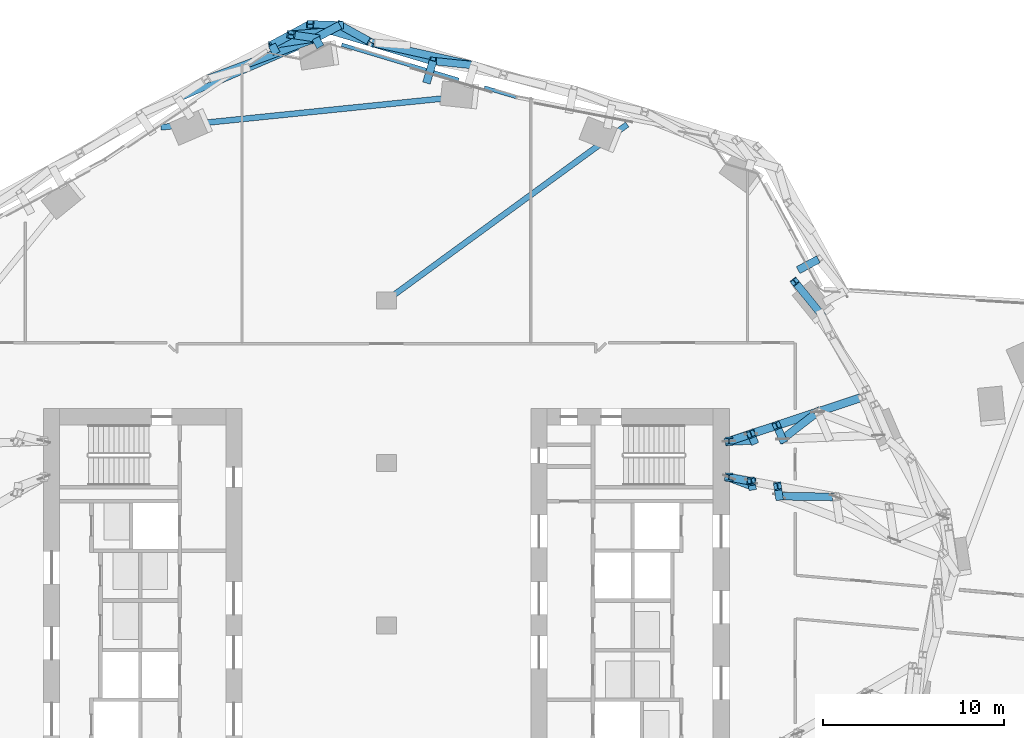
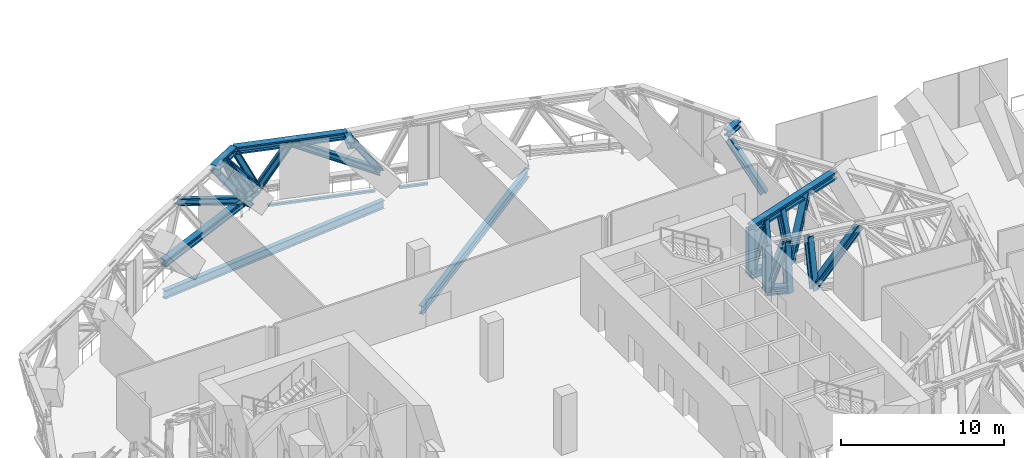
# One storey, part 14 of 39: 33 members, 2 beams, 1 element without a shape of its own.
"""IFC4 building model written with IfcOpenShell, lengths in metres."""

from ifc_helpers import new_model, si_unit, direction, frame, origin, origin_2d, place, context, subcontext, project, spatial, rectangle, i_section, extrude, material, material_profile, profile_set, type_object, element, aggregate, save


model = new_model("IFC4")

# Units and contexts
model_context = context("Model", 3, precision=1e-05, world=origin(), true_north=direction((0.0, 1.0)))
body_context = subcontext(model_context, "Body", "Model", "MODEL_VIEW")
ifc_project = project(units=[si_unit("LENGTHUNIT", "METRE"), si_unit("AREAUNIT", "SQUARE_METRE"), si_unit("VOLUMEUNIT", "CUBIC_METRE"), si_unit("PLANEANGLEUNIT", "RADIAN"), si_unit("MASSUNIT", "GRAM", prefix="KILO")], contexts=[model_context])

# Site, building, storey
site_placement = place(None, origin())
site = spatial("IfcSite", under=ifc_project, at=site_placement, CompositionType="ELEMENT")
building_placement = place(site_placement, origin())
building = spatial("IfcBuilding", under=site, at=building_placement, Name="Orlundy Tower", CompositionType="ELEMENT")
storey_placement = place(building_placement, frame((0.0, 0.0, 141.199951171875)))
storey = spatial("IfcBuildingStorey", under=building, at=storey_placement, Name="L36", CompositionType="ELEMENT", Elevation=141.199951171875)

# Members
ifc_material_1 = material(Name="Steel ASTM A992 Gr 50", Category="steel")
ifc_material_profile_1 = material_profile(ifc_material_1, i_section(OverallWidth=0.4423828125, OverallDepth=0.531494140625, WebThickness=0.06591796875, FlangeThickness=0.105712890625, at=origin_2d()), Name="W14X605")
ifc_profile_set_1 = profile_set([ifc_material_profile_1], Name="Steel ASTM A992 Gr 50")
member_type_1 = type_object("IfcMemberType", Name="BELT TRUSS chord W14X605", PredefinedType="CHORD", material=ifc_profile_set_1)
member_1_placement = place(storey_placement, frame((2.58056640625, 31.260986328125, 3.71533203125), z_axis=(-0.957976613174, 0.286846315318, 0.0), x_axis=(-0.286846315318, -0.957976613174, 0.0)))
element("IfcMember", 1, at=member_1_placement, inside=storey, type_object=member_type_1, Name="Belt truss top chord BT-18A", PredefinedType="CHORD", context=body_context, shape_type="SweptSolid", body=[
    extrude(i_section(OverallWidth=0.4423828125, OverallDepth=0.531494140625, WebThickness=0.06591796875, FlangeThickness=0.105712890625, at=origin_2d()), origin(), (0.0, 0.0, 1.0), 7.100830078125),
])
member_2_placement = place(storey_placement, frame((-2.575927734375, 33.248291015625, 0.28466796875), z_axis=(-0.880342600584, -0.474338387226, 0.0), x_axis=(0.474338387226, -0.880342600584, 0.0)))
element("IfcMember", 2, at=member_2_placement, inside=storey, type_object=member_type_1, Name="Belt truss bottom chord BT-18B", PredefinedType="CHORD", context=body_context, shape_type="SweptSolid", body=[
    extrude(i_section(OverallWidth=0.4423828125, OverallDepth=0.531494140625, WebThickness=0.06591796875, FlangeThickness=0.105712890625, at=origin_2d()), origin(), (0.0, 0.0, 1.0), 1.525634765625),
])
member_3_placement = place(storey_placement, frame((-4.221923828125, 33.2978515625, 3.71533203125), z_axis=(-0.88026935596, -0.474474299576, 0.0), x_axis=(0.474474299576, -0.88026935596, 0.0)))
element("IfcMember", 3, at=member_3_placement, inside=storey, type_object=member_type_1, Name="Belt truss top chord BT-18B", PredefinedType="CHORD", context=body_context, shape_type="SweptSolid", body=[
    extrude(i_section(OverallWidth=0.4423828125, OverallDepth=0.531494140625, WebThickness=0.06591796875, FlangeThickness=0.105712890625, at=origin_2d()), origin(), (0.0, 0.0, 1.0), 2.41015625),
])
member_4_placement = place(storey_placement, frame((-3.9189453125, 32.524658203125, 0.28466796875), z_axis=(-0.917786566907, -0.397074070678, 0.0), x_axis=(0.397074070678, -0.917786566907, 0.0)))
element("IfcMember", 4, at=member_4_placement, inside=storey, type_object=member_type_1, Name="Belt truss bottom chord BT-19A", PredefinedType="CHORD", context=body_context, shape_type="SweptSolid", body=[
    extrude(i_section(OverallWidth=0.4423828125, OverallDepth=0.531494140625, WebThickness=0.06591796875, FlangeThickness=0.105712890625, at=origin_2d()), origin(), (0.0, 0.0, 1.0), 8.324951171875),
])
ifc_material_2 = material(Name="Steel ASTM A992 Gr 50", Category="steel")
ifc_material_profile_2 = material_profile(ifc_material_2, i_section(OverallWidth=0.42431640625, OverallDepth=0.47412109375, WebThickness=0.0478515625, FlangeThickness=0.0771484375, at=origin_2d()), Name="W14X426")
ifc_profile_set_2 = profile_set([ifc_material_profile_2], Name="Steel ASTM A992 Gr 50")
member_type_2 = type_object("IfcMemberType", Name="BELT TRUSS diagonal W14X426", PredefinedType="BRACE", material=ifc_profile_set_2)
member_5_placement = place(storey_placement, frame((4.85546875, 31.023193359375, 0.28466796875), z_axis=(-0.840884640198, 0.186079633282, 0.508219826411), x_axis=(-0.216063302912, -0.976379357184, 0.0)))
element("IfcMember", 5, at=member_5_placement, inside=storey, type_object=member_type_2, Name="Belt truss diagonal BT-18A-0", PredefinedType="BRACE", context=body_context, shape_type="SweptSolid", body=[
    extrude(i_section(OverallWidth=0.42431640625, OverallDepth=0.47412109375, WebThickness=0.0478515625, FlangeThickness=0.0771484375, at=origin_2d()), origin(), (0.0, 0.0, 1.0), 6.750244140625),
])
member_6_placement = place(storey_placement, frame((-0.82080078125, 32.279296875, 3.71533203125), z_axis=(-0.441705621267, 0.243862791877, -0.863381192104), x_axis=(-0.483325202954, -0.87544088789, 0.0)))
element("IfcMember", 6, at=member_6_placement, inside=storey, type_object=member_type_2, Name="Belt truss diagonal BT-18A-1", PredefinedType="BRACE", context=body_context, shape_type="SweptSolid", body=[
    extrude(i_section(OverallWidth=0.42431640625, OverallDepth=0.47412109375, WebThickness=0.0478515625, FlangeThickness=0.0771484375, at=origin_2d()), origin(), (0.0, 0.0, 1.0), 3.9736328125),
])
member_7_placement = place(storey_placement, frame((-2.575927734375, 33.248291015625, 0.28466796875), z_axis=(-0.615038126503, -0.118658478632, 0.779517971824), x_axis=(0.189435334399, -0.981893198918, 0.0)))
element("IfcMember", 7, at=member_7_placement, inside=storey, type_object=member_type_2, Name="Belt truss diagonal BT-18B-0", PredefinedType="BRACE", context=body_context, shape_type="SweptSolid", body=[
    extrude(i_section(OverallWidth=0.42431640625, OverallDepth=0.47412109375, WebThickness=0.0478515625, FlangeThickness=0.0771484375, at=origin_2d()), origin(), (0.0, 0.0, 1.0), 4.401123046875),
])
member_8_placement = place(storey_placement, frame((-5.28271484375, 32.72607421875, 3.71533203125), z_axis=(0.368857354553, -0.054476784373, -0.927888210916), x_axis=(0.146105782749, 0.98926897265, 0.0)))
element("IfcMember", 8, at=member_8_placement, inside=storey, type_object=member_type_2, Name="Belt truss diagonal BT-18B-1", PredefinedType="BRACE", context=body_context, shape_type="SweptSolid", body=[
    extrude(i_section(OverallWidth=0.42431640625, OverallDepth=0.47412109375, WebThickness=0.0478515625, FlangeThickness=0.0771484375, at=origin_2d()), origin(), (0.0, 0.0, 1.0), 3.697265625),
])
member_9_placement = place(storey_placement, frame((-3.9189453125, 32.524658203125, 0.28466796875), z_axis=(-0.827666293136, -0.311608038524, 0.466764327614), x_axis=(0.35234562672, -0.935869947873, 0.0)))
element("IfcMember", 9, at=member_9_placement, inside=storey, type_object=member_type_2, Name="Belt truss diagonal BT-19A-0", PredefinedType="BRACE", context=body_context, shape_type="SweptSolid", body=[
    extrude(i_section(OverallWidth=0.42431640625, OverallDepth=0.47412109375, WebThickness=0.0478515625, FlangeThickness=0.0771484375, at=origin_2d()), origin(), (0.0, 0.0, 1.0), 7.349853515625),
])
ifc_material_3 = material(Name="Steel ASTM A992 Gr 50", Category="steel")
ifc_material_profile_3 = material_profile(ifc_material_3, i_section(OverallWidth=0.412109375, OverallDepth=0.434814453125, WebThickness=0.035888671875, FlangeThickness=0.057373046875, at=origin_2d()), Name="W14X311")
ifc_profile_set_3 = profile_set([ifc_material_profile_3], Name="Steel ASTM A992 Gr 50")
member_type_3 = type_object("IfcMemberType", Name="BELT TRUSS post W14X311", PredefinedType="POST", material=ifc_profile_set_3)
member_10_placement = place(storey_placement, frame((24.058349609375, 17.259033203125, 0.28466796875), z_axis=(-0.349209298449, 0.43109408308, 0.831992041675), x_axis=(-0.777043520905, -0.629446873548, 0.0)))
element("IfcMember", 10, at=member_10_placement, inside=storey, type_object=member_type_3, Name="Belt truss post BT-14-2", PredefinedType="POST", context=body_context, shape_type="SweptSolid", body=[
    extrude(i_section(OverallWidth=0.412109375, OverallDepth=0.434814453125, WebThickness=0.035888671875, FlangeThickness=0.057373046875, at=origin_2d()), origin(), (0.0, 0.0, 1.0), 4.12353515625),
])
member_11_placement = place(storey_placement, frame((4.85546875, 31.023193359375, 0.28466796875), z_axis=(-0.551725680303, 0.057671261281, 0.832029325995), x_axis=(-0.103962450215, -0.9945812229, 0.0)))
element("IfcMember", 11, at=member_11_placement, inside=storey, type_object=member_type_3, Name="Belt truss post BT-17A-2", PredefinedType="POST", context=body_context, shape_type="SweptSolid", body=[
    extrude(i_section(OverallWidth=0.412109375, OverallDepth=0.434814453125, WebThickness=0.035888671875, FlangeThickness=0.057373046875, at=origin_2d()), origin(), (0.0, 0.0, 1.0), 4.123291015625),
])
member_12_placement = place(storey_placement, frame((-2.575927734375, 33.248291015625, 0.28466796875), z_axis=(-0.432540019022, 0.01302367604, 0.901520668541), x_axis=(-0.03009612027, -0.999547009172, 0.0)))
element("IfcMember", 12, at=member_12_placement, inside=storey, type_object=member_type_3, Name="Belt truss post BT-18A-2", PredefinedType="POST", context=body_context, shape_type="SweptSolid", body=[
    extrude(i_section(OverallWidth=0.412109375, OverallDepth=0.434814453125, WebThickness=0.035888671875, FlangeThickness=0.057373046875, at=origin_2d()), origin(), (0.0, 0.0, 1.0), 3.805419921875),
])
member_13_placement = place(storey_placement, frame((-3.247314453125, 32.886474609375, 0.28466796875), z_axis=(-0.509838246362, -0.040177969037, 0.859331538669), x_axis=(0.078561757995, -0.996909248719, 0.0)))
element("IfcMember", 13, at=member_13_placement, inside=storey, type_object=member_type_3, Name="Belt truss post BT-18B-1", PredefinedType="POST", context=body_context, shape_type="SweptSolid", body=[
    extrude(i_section(OverallWidth=0.412109375, OverallDepth=0.434814453125, WebThickness=0.035888671875, FlangeThickness=0.057373046875, at=origin_2d()), origin(), (0.0, 0.0, 1.0), 3.9921875),
])
member_14_placement = place(storey_placement, frame((-3.9189453125, 32.524658203125, 0.28466796875), z_axis=(-0.574916360167, -0.087820775186, 0.81348551939), x_axis=(0.151002432223, -0.988533391172, 0.0)))
element("IfcMember", 14, at=member_14_placement, inside=storey, type_object=member_type_3, Name="Belt truss post BT-18B-2", PredefinedType="POST", context=body_context, shape_type="SweptSolid", body=[
    extrude(i_section(OverallWidth=0.412109375, OverallDepth=0.434814453125, WebThickness=0.035888671875, FlangeThickness=0.057373046875, at=origin_2d()), origin(), (0.0, 0.0, 1.0), 4.21728515625),
])
ifc_material_4 = material(Name="Steel ASTM A992 Gr 50", Category="steel")
ifc_material_profile_4 = material_profile(ifc_material_4, i_section(OverallWidth=0.43212890625, OverallDepth=0.497802734375, WebThickness=0.0556640625, FlangeThickness=0.0888671875, at=origin_2d()), Name="W14X500")
ifc_profile_set_4 = profile_set([ifc_material_profile_4], Name="Steel ASTM A992 Gr 50")
member_type_4 = type_object("IfcMemberType", Name="BELT TRUSS strut W14X500", PredefinedType="STRUT", material=ifc_profile_set_4)
member_15_placement = place(storey_placement, frame((22.807373046875, 19.67529296875, 3.71533203125), z_axis=(0.880175823573, 0.474647784781, 0.0), x_axis=(-0.474647784781, 0.880175823573, 0.0)))
element("IfcMember", 15, at=member_15_placement, inside=storey, type_object=member_type_4, Name="Belt truss bracket C-H02", PredefinedType="STRUT", context=body_context, shape_type="SweptSolid", body=[
    extrude(i_section(OverallWidth=0.43212890625, OverallDepth=0.497802734375, WebThickness=0.0556640625, FlangeThickness=0.0888671875, at=origin_2d()), origin(), (0.0, 0.0, 1.0), 1.275146484375),
])
member_16_placement = place(storey_placement, frame((2.214599609375, 30.039306640625, 3.71533203125), z_axis=(0.28696147906, 0.957942122226, 0.0), x_axis=(-0.957942122226, 0.28696147906, 0.0)))
element("IfcMember", 16, at=member_16_placement, inside=storey, type_object=member_type_4, Name="Belt truss bracket C-H23", PredefinedType="STRUT", context=body_context, shape_type="SweptSolid", body=[
    extrude(i_section(OverallWidth=0.43212890625, OverallDepth=0.497802734375, WebThickness=0.0556640625, FlangeThickness=0.0888671875, at=origin_2d()), origin(), (0.0, 0.0, 1.0), 1.275390625),
])
for number, where, z_axis, x_axis, name in (
    (17, (-3.659423828125, 32.043212890625, 0.28466796875), (-0.474499056722, 0.880256011153, 0.0), (-0.880256011153, -0.474499056722, 0.0), "Belt truss bracket C-H22"),
    (18, (-6.084228515625, 31.6728515625, 3.71533203125), (-0.4741530711, 0.88044242581, 0.0), (-0.88044242581, -0.4741530711, 0.0), "Belt truss bracket C-H22"),
):
    element("IfcMember", number, at=place(storey_placement, frame(where, z_axis=z_axis, x_axis=x_axis)), inside=storey, type_object=member_type_4, Name=name, PredefinedType="STRUT", context=body_context, shape_type="SweptSolid", body=[
        extrude(i_section(OverallWidth=0.43212890625, OverallDepth=0.497802734375, WebThickness=0.0556640625, FlangeThickness=0.0888671875, at=origin_2d()), origin(), (0.0, 0.0, 1.0), 0.546875),
    ])

# Beams
ifc_material_5 = material(Name="Steel ASTM A992 Gr 50", Category="steel")
ifc_material_profile_5 = material_profile(ifc_material_5, i_section(OverallWidth=0.32373046875, OverallDepth=0.611083984375, WebThickness=0.0126953125, FlangeThickness=0.01904296875, at=origin_2d()), Name="W24X104")
ifc_profile_set_5 = profile_set([ifc_material_profile_5], Name="Steel ASTM A992 Gr 50")
beam_type = type_object("IfcBeamType", Name="CANTILEVER GIRDER beam W24X104", PredefinedType="BEAM", material=ifc_profile_set_5)
beam_1_placement = place(storey_placement, frame((-12.495361328125, 27.587890625, -0.755615234375), z_axis=(0.994819437127, 0.101657697765, 0.0), x_axis=(-0.101657697765, 0.994819437127, 0.0)))
element("IfcBeam", 19, at=beam_1_placement, inside=storey, type_object=beam_type, Name="Cantilever girder C-H21 L36", PredefinedType="BEAM", context=body_context, shape_type="SweptSolid", body=[
    extrude(i_section(OverallWidth=0.32373046875, OverallDepth=0.611083984375, WebThickness=0.0126953125, FlangeThickness=0.01904296875, at=origin_2d()), origin(), (0.0, 0.0, 1.0), 16.60693359375),
])
beam_2_placement = place(storey_placement, frame((13.3388671875, 27.74462890625, -0.755615234375), z_axis=(-0.807475648412, -0.589900904578, 0.0), x_axis=(0.589900904578, -0.807475648412, 0.0)))
element("IfcBeam", 20, at=beam_2_placement, inside=storey, type_object=beam_type, Name="Cantilever girder C-H24 L36", PredefinedType="BEAM", context=body_context, shape_type="SweptSolid", body=[
    extrude(i_section(OverallWidth=0.32373046875, OverallDepth=0.611083984375, WebThickness=0.0126953125, FlangeThickness=0.01904296875, at=origin_2d()), origin(), (0.0, 0.0, 1.0), 16.13916015625),
])

# Curtain wall, members
ifc_material_6 = material(Name="Aluminium bronze anodised", Category="aluminium")
curtain_wall_type = type_object("IfcCurtainWallType", Name="CW4 wall", PredefinedType="NOTDEFINED", material=ifc_material_6)
curtain_wall_placement = place(storey_placement, origin())
curtain_wall = element("IfcCurtainWall", 21, at=curtain_wall_placement, inside=storey, type_object=curtain_wall_type, Name="CW4 run 024", PredefinedType="NOTDEFINED")
ifc_material_7 = material(Name="Aluminium bronze anodised", Category="aluminium")
ifc_material_profile_6 = material_profile(ifc_material_7, rectangle(XDim=0.199951171875, YDim=0.14990234375, at=origin_2d()), Name="CW4 transom 200x150")
ifc_profile_set_6 = profile_set([ifc_material_profile_6], Name="Aluminium bronze anodised")
member_type_5 = type_object("IfcMemberType", Name="CW4 transom 200x150", PredefinedType="USERDEFINED", material=ifc_profile_set_6)
member_17_placement = place(storey_placement, frame((-2.4814453125, 32.163330078125, -0.375), z_axis=(0.957977135678, -0.286844570312, 0.0), x_axis=(0.286844570312, 0.957977135678, 0.0)))
member_17 = element("IfcMember", 22, at=member_17_placement, type_object=member_type_5, Name="CW4 transom", ObjectType="TRANSOM", PredefinedType="USERDEFINED", context=body_context, shape_type="SweptSolid", body=[
    extrude(rectangle(XDim=0.199951171875, YDim=0.14990234375, at=origin_2d()), origin(), (0.0, 0.0, 1.0), 6.7646484375),
])
member_18_placement = place(storey_placement, frame((5.4248046875, 29.7958984375, -0.375), z_axis=(0.957958343443, -0.286907323412, 0.0), x_axis=(0.286907323412, 0.957958343443, 0.0)))
member_18 = element("IfcMember", 23, at=member_18_placement, type_object=member_type_5, Name="CW4 transom", ObjectType="TRANSOM", PredefinedType="USERDEFINED", context=body_context, shape_type="SweptSolid", body=[
    extrude(rectangle(XDim=0.199951171875, YDim=0.14990234375, at=origin_2d()), origin(), (0.0, 0.0, 1.0), 1.830322265625),
])
aggregate(curtain_wall, [member_17, member_18])

# Members
ifc_material_8 = material(Name="Steel ASTM A992 Gr 50", Category="steel")
ifc_material_profile_7 = material_profile(ifc_material_8, i_section(OverallWidth=0.454345703125, OverallDepth=0.569580078125, WebThickness=0.077880859375, FlangeThickness=0.124755859375, at=origin_2d()), Name="W14X730")
ifc_profile_set_7 = profile_set([ifc_material_profile_7], Name="Steel ASTM A992 Gr 50")
member_type_6 = type_object("IfcMemberType", Name="OUTRIGGER TRUSS chord W14X730", PredefinedType="CHORD", material=ifc_profile_set_7)
member_19_placement = place(storey_placement, frame((18.97998046875, 8.199951171875, 0.28466796875), z_axis=(0.935768948018, -0.352613777275, 0.0), x_axis=(0.352613777275, 0.935768948018, 0.0)))
element("IfcMember", 24, at=member_19_placement, inside=storey, type_object=member_type_6, Name="Outrigger truss bottom chord OR-E-C-H04", PredefinedType="CHORD", context=body_context, shape_type="SweptSolid", body=[
    extrude(i_section(OverallWidth=0.454345703125, OverallDepth=0.569580078125, WebThickness=0.077880859375, FlangeThickness=0.124755859375, at=origin_2d()), origin(), (0.0, 0.0, 1.0), 1.364013671875),
])
member_20_placement = place(storey_placement, frame((18.97998046875, 10.199951171875, 0.28466796875), z_axis=(0.999182859067, 0.040417992867, 0.0), x_axis=(-0.040417992867, 0.999182859067, 0.0)))
element("IfcMember", 25, at=member_20_placement, inside=storey, type_object=member_type_6, Name="Outrigger truss bottom chord OR-E-C-H03", PredefinedType="CHORD", context=body_context, shape_type="SweptSolid", body=[
    extrude(i_section(OverallWidth=0.454345703125, OverallDepth=0.569580078125, WebThickness=0.077880859375, FlangeThickness=0.124755859375, at=origin_2d()), origin(), (0.0, 0.0, 1.0), 1.365234375),
])
member_21_placement = place(storey_placement, frame((18.97998046875, 10.199951171875, 3.71533203125), z_axis=(0.949488289081, 0.313802467961, 0.0), x_axis=(-0.313802467961, 0.949488289081, 0.0)))
element("IfcMember", 26, at=member_21_placement, inside=storey, type_object=member_type_6, Name="Outrigger truss top chord OR-E-C-H03", PredefinedType="CHORD", context=body_context, shape_type="SweptSolid", body=[
    extrude(i_section(OverallWidth=0.454345703125, OverallDepth=0.569580078125, WebThickness=0.077880859375, FlangeThickness=0.124755859375, at=origin_2d()), origin(), (0.0, 0.0, 1.0), 7.764404296875),
])
ifc_material_9 = material(Name="Steel ASTM A992 Gr 50", Category="steel")
ifc_material_profile_8 = material_profile(ifc_material_9, i_section(OverallWidth=0.43212890625, OverallDepth=0.497802734375, WebThickness=0.0556640625, FlangeThickness=0.0888671875, at=origin_2d()), Name="W14X500")
ifc_profile_set_8 = profile_set([ifc_material_profile_8], Name="Steel ASTM A992 Gr 50")
member_type_7 = type_object("IfcMemberType", Name="OUTRIGGER TRUSS diagonal W14X500", PredefinedType="BRACE", material=ifc_profile_set_8)
member_22_placement = place(storey_placement, frame((18.97998046875, 8.199951171875, 0.28466796875), z_axis=(0.33873066607, -0.062200838286, 0.938825112351), x_axis=(0.180609391503, 0.983554903247, 0.0)))
element("IfcMember", 27, at=member_22_placement, inside=storey, type_object=member_type_7, Name="Outrigger truss diagonal OR-E-C-H04-0", PredefinedType="BRACE", context=body_context, shape_type="SweptSolid", body=[
    extrude(i_section(OverallWidth=0.43212890625, OverallDepth=0.497802734375, WebThickness=0.0556640625, FlangeThickness=0.0888671875, at=origin_2d()), origin(), (0.0, 0.0, 1.0), 3.654296875),
])
member_23_placement = place(storey_placement, frame((21.753662109375, 7.155029296875, 0.28466796875), z_axis=(0.67558339096, -0.008971403266, 0.737228998196), x_axis=(0.013278319834, 0.999911839225, 0.0)))
element("IfcMember", 28, at=member_23_placement, inside=storey, type_object=member_type_7, Name="Outrigger truss diagonal OR-E-C-H04-2", PredefinedType="BRACE", context=body_context, shape_type="SweptSolid", body=[
    extrude(i_section(OverallWidth=0.43212890625, OverallDepth=0.497802734375, WebThickness=0.0556640625, FlangeThickness=0.0888671875, at=origin_2d()), origin(), (0.0, 0.0, 1.0), 4.653564453125),
])
member_24_placement = place(storey_placement, frame((18.97998046875, 10.199951171875, 0.28466796875), z_axis=(0.331788411095, 0.109684874648, 0.936955537118), x_axis=(-0.313879854738, 0.949462709531, 0.0)))
element("IfcMember", 29, at=member_24_placement, inside=storey, type_object=member_type_7, Name="Outrigger truss diagonal OR-E-C-H03-0", PredefinedType="BRACE", context=body_context, shape_type="SweptSolid", body=[
    extrude(i_section(OverallWidth=0.43212890625, OverallDepth=0.497802734375, WebThickness=0.0556640625, FlangeThickness=0.0888671875, at=origin_2d()), origin(), (0.0, 0.0, 1.0), 3.66162109375),
])
member_25_placement = place(storey_placement, frame((21.942626953125, 10.320068359375, 0.28466796875), z_axis=(0.462193621995, 0.356080393286, 0.812147652403), x_axis=(-0.610299419901, 0.792170826318, 0.0)))
element("IfcMember", 30, at=member_25_placement, inside=storey, type_object=member_type_7, Name="Outrigger truss diagonal OR-E-C-H03-2", PredefinedType="BRACE", context=body_context, shape_type="SweptSolid", body=[
    extrude(i_section(OverallWidth=0.43212890625, OverallDepth=0.497802734375, WebThickness=0.0556640625, FlangeThickness=0.0888671875, at=origin_2d()), origin(), (0.0, 0.0, 1.0), 4.22412109375),
])
ifc_material_10 = material(Name="Steel ASTM A992 Gr 50", Category="steel")
ifc_material_profile_9 = material_profile(ifc_material_10, i_section(OverallWidth=0.41845703125, OverallDepth=0.455078125, WebThickness=0.0419921875, FlangeThickness=0.067626953125, at=origin_2d()), Name="W14X370")
ifc_profile_set_9 = profile_set([ifc_material_profile_9], Name="Steel ASTM A992 Gr 50")
member_type_8 = type_object("IfcMemberType", Name="OUTRIGGER TRUSS post W14X370", PredefinedType="POST", material=ifc_profile_set_9)
member_26_placement = place(storey_placement, frame((18.97998046875, 8.199951171875, 0.28466796875), z_axis=(0.0, 0.0, 1.0), x_axis=(1.0, 0.0, 0.0)))
element("IfcMember", 31, at=member_26_placement, inside=storey, type_object=member_type_8, Name="Outrigger truss post OR-E-C-H04-0", PredefinedType="POST", context=body_context, shape_type="SweptSolid", body=[
    extrude(i_section(OverallWidth=0.41845703125, OverallDepth=0.455078125, WebThickness=0.0419921875, FlangeThickness=0.067626953125, at=origin_2d()), origin(), (0.0, 0.0, 1.0), 3.4306640625),
])
member_27_placement = place(storey_placement, frame((20.25634765625, 7.718994140625, 0.0), z_axis=(-0.01035777213, 0.068112185083, 0.997623900475), x_axis=(-0.988634214789, -0.15034091043, 0.0)))
element("IfcMember", 32, at=member_27_placement, inside=storey, type_object=member_type_8, Name="Outrigger truss post OR-E-C-H04-1", PredefinedType="POST", context=body_context, shape_type="SweptSolid", body=[
    extrude(i_section(OverallWidth=0.41845703125, OverallDepth=0.455078125, WebThickness=0.0419921875, FlangeThickness=0.067626953125, at=origin_2d()), origin(), (0.0, 0.0, 1.0), 3.72412109375),
])
member_28_placement = place(storey_placement, frame((21.753662109375, 7.155029296875, 0.0), z_axis=(-0.022419591628, 0.146669618275, 0.988931435938), x_axis=(-0.988518073626, -0.151102674081, 0.0)))
element("IfcMember", 33, at=member_28_placement, inside=storey, type_object=member_type_8, Name="Outrigger truss post OR-E-C-H04-2", PredefinedType="POST", context=body_context, shape_type="SweptSolid", body=[
    extrude(i_section(OverallWidth=0.41845703125, OverallDepth=0.455078125, WebThickness=0.0419921875, FlangeThickness=0.067626953125, at=origin_2d()), origin(), (0.0, 0.0, 1.0), 3.7568359375),
])
member_29_placement = place(storey_placement, frame((18.97998046875, 10.199951171875, 0.28466796875), z_axis=(0.0, 0.0, 1.0), x_axis=(1.0, 0.0, 0.0)))
element("IfcMember", 34, at=member_29_placement, inside=storey, type_object=member_type_8, Name="Outrigger truss post OR-E-C-H03-0", PredefinedType="POST", context=body_context, shape_type="SweptSolid", body=[
    extrude(i_section(OverallWidth=0.41845703125, OverallDepth=0.455078125, WebThickness=0.0419921875, FlangeThickness=0.067626953125, at=origin_2d()), origin(), (0.0, 0.0, 1.0), 3.4306640625),
])
member_30_placement = place(storey_placement, frame((20.343994140625, 10.255126953125, 0.0), z_axis=(-0.039944504069, 0.092768005359, 0.994886191369), x_axis=(-0.918474113963, -0.395481101925, 0.0)))
element("IfcMember", 35, at=member_30_placement, inside=storey, type_object=member_type_8, Name="Outrigger truss post OR-E-C-H03-1", PredefinedType="POST", context=body_context, shape_type="SweptSolid", body=[
    extrude(i_section(OverallWidth=0.41845703125, OverallDepth=0.455078125, WebThickness=0.0419921875, FlangeThickness=0.067626953125, at=origin_2d()), origin(), (0.0, 0.0, 1.0), 3.734375),
])
member_31_placement = place(storey_placement, frame((21.942626953125, 10.320068359375, 0.0), z_axis=(-0.085092324347, 0.197650346147, 0.976572392097), x_axis=(-0.918495945031, -0.395430397114, 0.0)))
element("IfcMember", 36, at=member_31_placement, inside=storey, type_object=member_type_8, Name="Outrigger truss post OR-E-C-H03-2", PredefinedType="POST", context=body_context, shape_type="SweptSolid", body=[
    extrude(i_section(OverallWidth=0.41845703125, OverallDepth=0.455078125, WebThickness=0.0419921875, FlangeThickness=0.067626953125, at=origin_2d()), origin(), (0.0, 0.0, 1.0), 3.804443359375),
])

save(model, "model.ifc")
